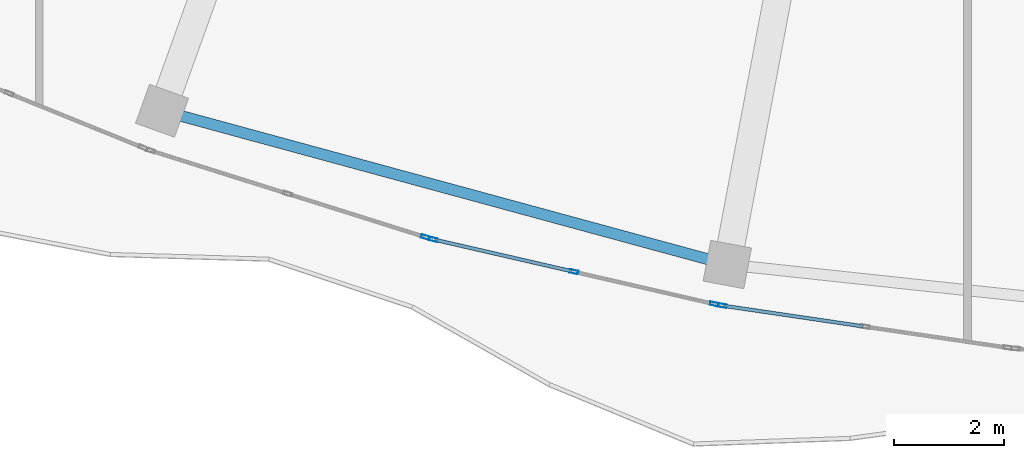
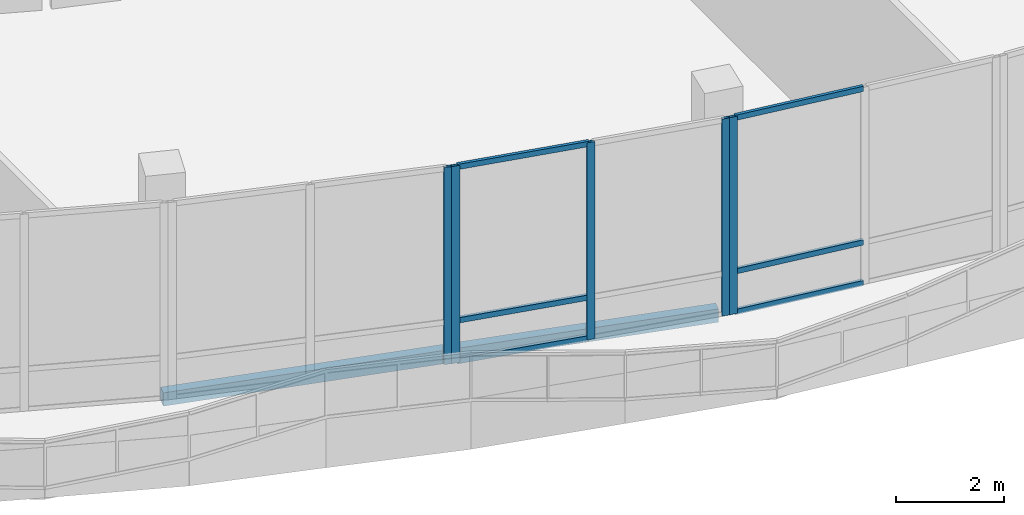
# One storey, part 21 of 168: 11 members, 1 beam, 3 elements without a shape of their own.
"""IFC4 building model written with IfcOpenShell, lengths in metres."""

import ifcopenshell
import ifcopenshell.guid

model = None  # the IFC model being written
_history = None  # IfcOwnerHistory: only IFC2X3 demands one
_inside = {}  # id of a spatial element -> (the spatial element, [elements in it])
_under = {}  # id of a project, library or spatial element -> (it, [spatial elements below it])
_declared = {}  # id of a project -> (the project, [libraries it declares])
_typed = {}  # id of a type object -> (the type object, [elements of that type])
_made_of = {}  # id of a material, layer set ... -> (it, [elements and type objects made of it])


def new_model(schema):
    """Start an empty IFC model of exactly this schema.

    Asked for "IFC4X3", IfcOpenShell would pick the latest addendum, in which some entities
    have other attributes; the version numbers below select the first issue.
    IFC2X3 requires an IfcOwnerHistory on every rooted entity: one is made here for all.
    """
    global model, _history
    if schema == "IFC4X3":
        model = ifcopenshell.file(schema_version=(4, 3, 0, 0))
    else:
        model = ifcopenshell.file(schema=schema)
    _inside.clear()
    _under.clear()
    _declared.clear()
    _typed.clear()
    _made_of.clear()
    _history = None
    if model.schema == "IFC2X3":
        org = make("IfcOrganization", Name="unknown")
        user = make(
            "IfcPersonAndOrganization",
            ThePerson=make("IfcPerson", FamilyName="unknown"),
            TheOrganization=org,
        )
        app = make(
            "IfcApplication",
            ApplicationDeveloper=org,
            Version="unknown",
            ApplicationFullName="unknown",
            ApplicationIdentifier="unknown",
        )
        _history = make(
            "IfcOwnerHistory",
            OwningUser=user,
            OwningApplication=app,
            ChangeAction="ADDED",
            CreationDate=0,
        )
    return model


def make(cls, **values):
    """One entity of the class cls with the attributes given. An attribute that is None is left unset."""
    return model.create_entity(
        cls, **{name: value for name, value in values.items() if value is not None}
    )


def rooted(cls, **values):
    """An entity with a GlobalId (a new one), such as an element, a storey or a relation."""
    return make(cls, GlobalId=ifcopenshell.guid.new(), OwnerHistory=_history, **values)


def si_unit(unit_type, name, prefix=None):
    """IfcSIUnit, for example si_unit("LENGTHUNIT", "METRE", prefix="MILLI")."""
    return make("IfcSIUnit", UnitType=unit_type, Prefix=prefix, Name=name)


def assignment(units):
    """IfcUnitAssignment: the units of a project."""
    return None if units is None else make("IfcUnitAssignment", Units=units)


def point(xyz):
    """IfcCartesianPoint."""
    return None if xyz is None else make("IfcCartesianPoint", Coordinates=xyz)


def direction(xyz):
    """IfcDirection."""
    return None if xyz is None else make("IfcDirection", DirectionRatios=xyz)


def frame(location, z_axis=None, x_axis=None):
    """IfcAxis2Placement3D, a coordinate frame: its origin and axes. An axis left out is left unset."""
    return make(
        "IfcAxis2Placement3D",
        Location=point(location),
        Axis=direction(z_axis),
        RefDirection=direction(x_axis),
    )


def frame_2d(location, x_axis=None):
    """IfcAxis2Placement2D, a coordinate frame in the plane: its origin and x axis."""
    return make(
        "IfcAxis2Placement2D", Location=point(location), RefDirection=direction(x_axis)
    )


def origin():
    """The frame at (0, 0, 0) with its axes left unset."""
    return frame((0.0, 0.0, 0.0))


def origin_2d():
    """The frame at (0, 0) in the plane with its x axis left unset."""
    return frame_2d((0.0, 0.0))


def place(relative_to, where):
    """IfcLocalPlacement: puts the frame where relative to a parent placement (None: the world)."""
    return make(
        "IfcLocalPlacement", PlacementRelTo=relative_to, RelativePlacement=where
    )


def context(
    kind, dimensions, precision=None, world=None, true_north=None, identifier=None
):
    """IfcGeometricRepresentationContext, for example the 3D "Model" context."""
    return make(
        "IfcGeometricRepresentationContext",
        ContextIdentifier=identifier,
        ContextType=kind,
        CoordinateSpaceDimension=dimensions,
        Precision=precision,
        WorldCoordinateSystem=world,
        TrueNorth=true_north,
    )


def subcontext(parent, identifier, kind, view, scale=None):
    """IfcGeometricRepresentationSubContext, for example "Body" below "Model"."""
    return make(
        "IfcGeometricRepresentationSubContext",
        ContextIdentifier=identifier,
        ContextType=kind,
        ParentContext=parent,
        TargetScale=scale,
        TargetView=view,
    )


def project(units=None, contexts=None):
    """IfcProject with its units and contexts."""
    return rooted(
        "IfcProject",
        Name="project",
        RepresentationContexts=contexts,
        UnitsInContext=assignment(units),
    )


def spatial(cls, under=None, at=None, **own):
    """A site, building, storey or space (cls), placed at a placement, below another one or the project."""
    s = rooted(cls, ObjectPlacement=at, **own)
    if under is not None:
        _under.setdefault(under.id(), (under, []))[1].append(s)
    return s


def profile(cls, at=None, kind="AREA", **sizes):
    """A parametric profile (cls). Its sizes go by their IFC names, for example OverallWidth=200.0."""
    return make(cls, ProfileType=kind, Position=at, **sizes)


def hollow_rectangle(**sizes):
    """IfcRectangleHollowProfileDef."""
    return profile("IfcRectangleHollowProfileDef", **sizes)


def extrude(swept, where, along, depth):
    """IfcExtrudedAreaSolid: the profile swept, set in the frame where, extruded along a direction by depth."""
    return make(
        "IfcExtrudedAreaSolid",
        SweptArea=swept,
        Position=where,
        ExtrudedDirection=direction(along),
        Depth=depth,
    )


def shape(context_of_items, identifier, shape_type, items):
    """IfcShapeRepresentation: the items that make up one representation, for example the "Body"."""
    return make(
        "IfcShapeRepresentation",
        ContextOfItems=context_of_items,
        RepresentationIdentifier=identifier,
        RepresentationType=shape_type,
        Items=items,
    )


def material(Name=None, Category=None):
    """IfcMaterial."""
    return make("IfcMaterial", Name=Name, Category=Category)


def material_profile(
    of_material, cross_section, Name=None, Category=None, Priority=None
):
    """IfcMaterialProfile: a cross section and its material."""
    return make(
        "IfcMaterialProfile",
        Name=Name,
        Material=of_material,
        Profile=cross_section,
        Priority=Priority,
        Category=Category,
    )


def profile_set(profiles, Name=None, composite=None):
    """IfcMaterialProfileSet."""
    return make(
        "IfcMaterialProfileSet",
        Name=Name,
        MaterialProfiles=profiles,
        CompositeProfile=composite,
    )


def made_of(thing, what):
    """Note that an element or type object is made of a material, layer set ...; save() writes the relation."""
    if what is not None:
        _made_of.setdefault(what.id(), (what, []))[1].append(thing)
    return thing


def type_object(cls, material=None, **own):
    """A type object (cls), such as IfcWallType, which elements share."""
    return made_of(rooted(cls, **own), material)


def element(
    cls,
    number,
    at=None,
    inside=None,
    cuts=None,
    type_object=None,
    material=None,
    context=None,
    identifier="Body",
    shape_type=None,
    held_by="IfcProductDefinitionShape",
    body=None,
    shapes=None,
    **own,
):
    """One element of the class cls, such as IfcWall. Its Tag is "e" and its number.

    at: its placement. inside: the storey or other place that contains it. cuts: it is an
    opening in that element (IfcRelVoidsElement). A single representation is given by context,
    identifier, shape_type and body (its items); several are given by shapes. held_by: the class
    of the entity that holds the representations. save() writes the other relations.
    """
    e = rooted(cls, Tag="e%d" % number, ObjectPlacement=at, **own)
    if body is not None:
        shapes = [shape(context, identifier, shape_type, body)]
    if shapes is not None:
        e.Representation = make(held_by, Representations=shapes)
    if inside is not None:
        _inside.setdefault(inside.id(), (inside, []))[1].append(e)
    if cuts is not None:
        rooted(
            "IfcRelVoidsElement", RelatingBuildingElement=cuts, RelatedOpeningElement=e
        )
    if type_object is not None:
        _typed.setdefault(type_object.id(), (type_object, []))[1].append(e)
    return made_of(e, material)


def aggregate(whole, parts):
    """IfcRelAggregates: a whole, such as a stair, and the parts it consists of."""
    return rooted("IfcRelAggregates", RelatingObject=whole, RelatedObjects=parts)


def save(model, path):
    """Write the relations noted so far, then the file.

    IfcRelAggregates (storeys below a building ...), IfcRelContainedInSpatialStructure (elements
    in a storey), IfcRelDefinesByType, IfcRelAssociatesMaterial and IfcRelDeclares: one each for
    every whole, place, type object, material and project.
    """
    for whole, parts in _under.values():
        aggregate(whole, parts)
    for where, things in _inside.values():
        rooted(
            "IfcRelContainedInSpatialStructure",
            RelatedElements=things,
            RelatingStructure=where,
        )
    for kind, things in _typed.values():
        rooted("IfcRelDefinesByType", RelatedObjects=things, RelatingType=kind)
    for what, things in _made_of.values():
        rooted("IfcRelAssociatesMaterial", RelatedObjects=things, RelatingMaterial=what)
    for by, libraries in _declared.values():
        rooted("IfcRelDeclares", RelatingContext=by, RelatedDefinitions=libraries)
    model.write(path)


model = new_model("IFC4")

# Units and contexts
model_context = context("Model", 3, precision=1e-05, world=origin(), true_north=direction((0.0, 1.0)))
body_context = subcontext(model_context, "Body", "Model", "MODEL_VIEW")
ifc_project = project(units=[si_unit("LENGTHUNIT", "METRE"), si_unit("AREAUNIT", "SQUARE_METRE"), si_unit("VOLUMEUNIT", "CUBIC_METRE"), si_unit("PLANEANGLEUNIT", "RADIAN"), si_unit("MASSUNIT", "GRAM", prefix="KILO")], contexts=[model_context])

# Site, building, storey
site_placement = place(None, origin())
site = spatial("IfcSite", under=ifc_project, at=site_placement, CompositionType="ELEMENT")
building_placement = place(site_placement, origin())
building = spatial("IfcBuilding", under=site, at=building_placement, Name="Selatvlak General Hospital", CompositionType="ELEMENT")
storey_placement = place(building_placement, frame((0.0, 0.0, 5.39990234375)))
storey = spatial("IfcBuildingStorey", under=building, at=storey_placement, Name="L01", CompositionType="ELEMENT", Elevation=5.39990234375)

# Beam
ifc_material_1 = material(Name="Steel S355", Category="steel")
ifc_material_profile_1 = material_profile(ifc_material_1, hollow_rectangle(XDim=0.199951171875, YDim=0.300048828125, WallThickness=0.011962890625, at=origin_2d()), Name="RHS 300x200x12")
ifc_profile_set_1 = profile_set([ifc_material_profile_1], Name="Steel S355")
beam_type = type_object("IfcBeamType", Name="BM-SP3", PredefinedType="SPANDREL", material=ifc_profile_set_1)
beam_placement = place(storey_placement, frame((33.4189453125, 16.68603515625, -0.469970703125), z_axis=(0.964929381724, -0.26250959656, 0.0), x_axis=(0.26250959656, 0.964929381724, 0.0)))
element("IfcBeam", 1, at=beam_placement, inside=storey, type_object=beam_type, Name="Beam BMR-L01-0751", PredefinedType="SPANDREL", context=body_context, shape_type="SweptSolid", body=[
    extrude(hollow_rectangle(XDim=0.199951171875, YDim=0.300048828125, WallThickness=0.011962890625, at=origin_2d()), origin(), (0.0, 0.0, 1.0), 10.60498046875),
])

# Curtain wall, member
ifc_material_2 = material(Name="Solar-control Low-E double glazing", Category="glass")
curtain_wall_type_1 = type_object("IfcCurtainWallType", Name="CW-CW-01", PredefinedType="USERDEFINED", material=ifc_material_2)
curtain_wall_1_placement = place(storey_placement, origin())
curtain_wall_1 = element("IfcCurtainWall", 2, at=curtain_wall_1_placement, inside=storey, type_object=curtain_wall_type_1, Name="Glazed facade curtain wall CW-L01-0177", ObjectType="UNITISED CURTAIN WALL", PredefinedType="USERDEFINED")
ifc_material_3 = material(Name="Dark anodised aluminium mullion", Category="aluminium")
ifc_material_profile_2 = material_profile(ifc_material_3, hollow_rectangle(XDim=0.06494140625, YDim=0.159912109375, WallThickness=0.00390625, at=origin_2d()), Name="AL-MUL 65x160x4")
ifc_profile_set_2 = profile_set([ifc_material_profile_2], Name="Dark anodised aluminium mullion")
member_type_1 = type_object("IfcMemberType", Name="CWM-01", PredefinedType="MULLION", material=ifc_profile_set_2)
member_1_placement = place(storey_placement, frame((43.56103515625, 13.158203125, 0.0), z_axis=(0.0, 0.0, 1.0), x_axis=(-0.145842510319, -0.989307819732, 0.0)))
member_1 = element("IfcMember", 3, at=member_1_placement, type_object=member_type_1, Name="CW-01 mullion 3", PredefinedType="MULLION", context=body_context, shape_type="SweptSolid", body=[
    extrude(hollow_rectangle(XDim=0.06494140625, YDim=0.159912109375, WallThickness=0.00390625, at=origin_2d()), origin(), (0.0, 0.0, 1.0), 4.445068359375),
])

# Curtain wall, members
curtain_wall_type_2 = type_object("IfcCurtainWallType", Name="CW-CW-02", PredefinedType="USERDEFINED", material=ifc_material_2)
curtain_wall_2_placement = place(storey_placement, origin())
curtain_wall_2 = element("IfcCurtainWall", 4, at=curtain_wall_2_placement, inside=storey, type_object=curtain_wall_type_2, Name="Glazed facade curtain wall CW-L01-0178", ObjectType="UNITISED CURTAIN WALL", PredefinedType="USERDEFINED")
member_2_placement = place(storey_placement, frame((43.418212890625, 13.186279296875, 0.0), z_axis=(0.0, 0.0, 1.0), x_axis=(-0.224154879176, -0.974553533749, 0.0)))
member_2 = element("IfcMember", 5, at=member_2_placement, type_object=member_type_1, Name="CW-02 mullion 1", PredefinedType="MULLION", context=body_context, shape_type="SweptSolid", body=[
    extrude(hollow_rectangle(XDim=0.06494140625, YDim=0.159912109375, WallThickness=0.00390625, at=origin_2d()), origin(), (0.0, 0.0, 1.0), 4.445068359375),
])
member_3_placement = place(storey_placement, frame((40.8740234375, 13.771484375, 0.0), z_axis=(0.0, 0.0, 1.0), x_axis=(-0.224154879176, -0.974553533749, 0.0)))
member_3 = element("IfcMember", 6, at=member_3_placement, type_object=member_type_1, Name="CW-02 mullion 2", PredefinedType="MULLION", context=body_context, shape_type="SweptSolid", body=[
    extrude(hollow_rectangle(XDim=0.06494140625, YDim=0.159912109375, WallThickness=0.00390625, at=origin_2d()), origin(), (0.0, 0.0, 1.0), 4.445068359375),
])
member_4_placement = place(storey_placement, frame((38.32958984375, 14.356689453125, 0.0), z_axis=(0.0, 0.0, 1.0), x_axis=(-0.224154879176, -0.974553533749, 0.0)))
member_4 = element("IfcMember", 7, at=member_4_placement, type_object=member_type_1, Name="CW-02 mullion 3", PredefinedType="MULLION", context=body_context, shape_type="SweptSolid", body=[
    extrude(hollow_rectangle(XDim=0.06494140625, YDim=0.159912109375, WallThickness=0.00390625, at=origin_2d()), origin(), (0.0, 0.0, 1.0), 4.445068359375),
])

# Curtain wall, member
curtain_wall_3_placement = place(storey_placement, origin())
curtain_wall_3 = element("IfcCurtainWall", 8, at=curtain_wall_3_placement, inside=storey, type_object=curtain_wall_type_1, Name="Glazed facade curtain wall CW-L01-0179", ObjectType="UNITISED CURTAIN WALL", PredefinedType="USERDEFINED")
member_5_placement = place(storey_placement, frame((38.18994140625, 14.396728515625, 0.0), z_axis=(0.0, 0.0, 1.0), x_axis=(-0.30046120424, -0.953794036858, 0.0)))
member_5 = element("IfcMember", 9, at=member_5_placement, type_object=member_type_1, Name="CW-01 mullion 1", PredefinedType="MULLION", context=body_context, shape_type="SweptSolid", body=[
    extrude(hollow_rectangle(XDim=0.06494140625, YDim=0.159912109375, WallThickness=0.00390625, at=origin_2d()), origin(), (0.0, 0.0, 1.0), 4.445068359375),
])
aggregate(curtain_wall_3, [member_5])

# Member
ifc_material_profile_3 = material_profile(ifc_material_3, hollow_rectangle(XDim=0.06494140625, YDim=0.1201171875, WallThickness=0.00390625, at=origin_2d()), Name="AL-TRN 65x120x4")
ifc_profile_set_3 = profile_set([ifc_material_profile_3], Name="Dark anodised aluminium mullion")
member_type_2 = type_object("IfcMemberType", Name="CWT-01", PredefinedType="USERDEFINED", material=ifc_profile_set_3)
member_6_placement = place(storey_placement, frame((46.11181640625, 12.7822265625, 0.03271484375), z_axis=(-0.989304660592, 0.145863938422, 0.0), x_axis=(-0.145863938422, -0.989304660592, 0.0)))
member_6 = element("IfcMember", 10, at=member_6_placement, type_object=member_type_2, Name="CW-01 transom 2.1", ObjectType="TRANSOM", PredefinedType="USERDEFINED", context=body_context, shape_type="SweptSolid", body=[
    extrude(hollow_rectangle(XDim=0.06494140625, YDim=0.1201171875, WallThickness=0.00390625, at=origin_2d()), origin(), (0.0, 0.0, 1.0), 2.5458984375),
])

member_7_placement = place(storey_placement, frame((46.11181640625, 12.7822265625, 0.9501953125), z_axis=(-0.989304660592, 0.145863938422, 0.0), x_axis=(-0.145863938422, -0.989304660592, 0.0)))
member_7 = element("IfcMember", 11, at=member_7_placement, type_object=member_type_2, Name="CW-01 transom 2.2", ObjectType="TRANSOM", PredefinedType="USERDEFINED", context=body_context, shape_type="SweptSolid", body=[
    extrude(hollow_rectangle(XDim=0.06494140625, YDim=0.1201171875, WallThickness=0.00390625, at=origin_2d()), origin(), (0.0, 0.0, 1.0), 2.5458984375),
])

member_8_placement = place(storey_placement, frame((46.11181640625, 12.7822265625, 4.41259765625), z_axis=(-0.989304660592, 0.145863938422, 0.0), x_axis=(-0.145863938422, -0.989304660592, 0.0)))
member_8 = element("IfcMember", 12, at=member_8_placement, type_object=member_type_2, Name="CW-01 transom 2.3", ObjectType="TRANSOM", PredefinedType="USERDEFINED", context=body_context, shape_type="SweptSolid", body=[
    extrude(hollow_rectangle(XDim=0.06494140625, YDim=0.1201171875, WallThickness=0.00390625, at=origin_2d()), origin(), (0.0, 0.0, 1.0), 2.5458984375),
])

aggregate(curtain_wall_1, [member_1, member_6, member_7, member_8])

member_9_placement = place(storey_placement, frame((40.84228515625, 13.77880859375, 0.03271484375), z_axis=(-0.974560633156, 0.224124010991, 0.0), x_axis=(-0.224124010991, -0.974560633156, 0.0)))
member_9 = element("IfcMember", 13, at=member_9_placement, type_object=member_type_2, Name="CW-02 transom 2.1", ObjectType="TRANSOM", PredefinedType="USERDEFINED", context=body_context, shape_type="SweptSolid", body=[
    extrude(hollow_rectangle(XDim=0.06494140625, YDim=0.1201171875, WallThickness=0.00390625, at=origin_2d()), origin(), (0.0, 0.0, 1.0), 2.545654296875),
])

member_10_placement = place(storey_placement, frame((40.84228515625, 13.77880859375, 0.9501953125), z_axis=(-0.974560633156, 0.224124010991, 0.0), x_axis=(-0.224124010991, -0.974560633156, 0.0)))
member_10 = element("IfcMember", 14, at=member_10_placement, type_object=member_type_2, Name="CW-02 transom 2.2", ObjectType="TRANSOM", PredefinedType="USERDEFINED", context=body_context, shape_type="SweptSolid", body=[
    extrude(hollow_rectangle(XDim=0.06494140625, YDim=0.1201171875, WallThickness=0.00390625, at=origin_2d()), origin(), (0.0, 0.0, 1.0), 2.545654296875),
])

member_11_placement = place(storey_placement, frame((40.84228515625, 13.77880859375, 4.41259765625), z_axis=(-0.974560633156, 0.224124010991, 0.0), x_axis=(-0.224124010991, -0.974560633156, 0.0)))
member_11 = element("IfcMember", 15, at=member_11_placement, type_object=member_type_2, Name="CW-02 transom 2.3", ObjectType="TRANSOM", PredefinedType="USERDEFINED", context=body_context, shape_type="SweptSolid", body=[
    extrude(hollow_rectangle(XDim=0.06494140625, YDim=0.1201171875, WallThickness=0.00390625, at=origin_2d()), origin(), (0.0, 0.0, 1.0), 2.545654296875),
])

aggregate(curtain_wall_2, [member_2, member_3, member_4, member_9, member_10, member_11])

save(model, "model.ifc")
